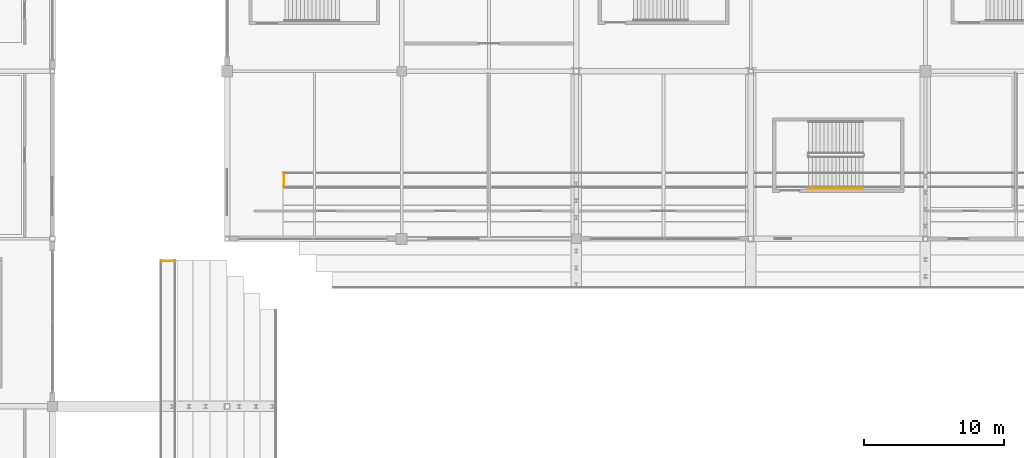
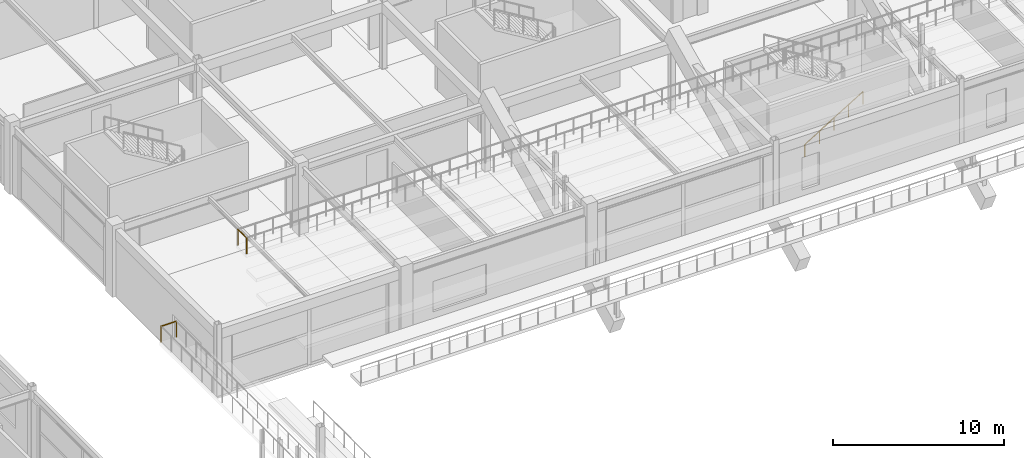
# One storey, part 114 of 128: 3 railings.
"""IFC4 building model written with IfcOpenShell, lengths in metres."""

from ifc_helpers import new_model, si_unit, direction, frame, origin, origin_2d, place, context, subcontext, project, spatial, circle, extrude, material, layer, layer_set, type_object, element, save


model = new_model("IFC4")

# Units and contexts
model_context = context("Model", 3, precision=1e-05, world=origin(), true_north=direction((0.0, 1.0)))
body_context = subcontext(model_context, "Body", "Model", "MODEL_VIEW")
ifc_project = project(units=[si_unit("LENGTHUNIT", "METRE"), si_unit("AREAUNIT", "SQUARE_METRE"), si_unit("VOLUMEUNIT", "CUBIC_METRE"), si_unit("PLANEANGLEUNIT", "RADIAN"), si_unit("MASSUNIT", "GRAM", prefix="KILO")], contexts=[model_context])

# Site, building, storey
site_placement = place(None, origin())
site = spatial("IfcSite", under=ifc_project, at=site_placement, CompositionType="ELEMENT")
building_placement = place(site_placement, origin())
building = spatial("IfcBuilding", under=site, at=building_placement, Name="Kazenohara Klinker Stadium", CompositionType="ELEMENT")
storey_placement = place(building_placement, frame((0.0, 0.0, 15.300048828125)))
storey = spatial("IfcBuildingStorey", under=building, at=storey_placement, Name="L03", CompositionType="ELEMENT", Elevation=15.300048828125)

# Railings
ifc_material_1 = material(Name="Galvanised powder-coated steel guardrail", Category="steel")
ifc_layer_1 = layer(ifc_material_1, 0.070068359375)
ifc_layer_set_1 = layer_set([ifc_layer_1], Name="Galvanised powder-coated steel guardrail")
railing_type_1 = type_object("IfcRailingType", Name="RL-GRD-1150", PredefinedType="GUARDRAIL", material=ifc_layer_set_1)
railing_1_placement = place(storey_placement, frame((44.260009765625, 130.419921875, 6.349853515625)))
element("IfcRailing", 1, at=railing_1_placement, inside=storey, type_object=railing_type_1, Name="Spectator stand sightline guardrail TIER-UPPER-W-01-N", PredefinedType="GUARDRAIL", context=body_context, shape_type="SweptSolid", body=[
    extrude(circle(Radius=0.02392578125, at=origin_2d()), frame((0.0, 0.0, 1.1259765625), z_axis=(1.0, 0.0, 0.0), x_axis=(0.0, 1.0, 0.0)), (0.0, 0.0, 1.0), 1.0400390625),
    extrude(circle(Radius=0.02099609375, at=origin_2d()), origin(), (0.0, 0.0, 1.0), 1.101806640625),
    extrude(circle(Radius=0.02099609375, at=origin_2d()), frame((1.0400390625, 0.0, 0.0)), (0.0, 0.0, 1.0), 1.101806640625),
])
railing_2_placement = place(storey_placement, frame((53.080078125, 135.699951171875, 6.349853515625)))
element("IfcRailing", 2, at=railing_2_placement, inside=storey, type_object=railing_type_1, Name="Spectator stand sightline guardrail TIER-UPPER-N-01-W", PredefinedType="GUARDRAIL", context=body_context, shape_type="SweptSolid", body=[
    extrude(circle(Radius=0.02392578125, at=origin_2d()), frame((0.0, 0.0, 1.1259765625), z_axis=(0.0, 1.0, 0.0), x_axis=(-1.0, 0.0, 0.0)), (0.0, 0.0, 1.0), 1.0400390625),
    extrude(circle(Radius=0.02099609375, at=origin_2d()), origin(), (0.0, 0.0, 1.0), 1.101806640625),
    extrude(circle(Radius=0.02099609375, at=origin_2d()), frame((0.0, 1.0400390625, 0.0)), (0.0, 0.0, 1.0), 1.101806640625),
])
ifc_material_2 = material(Name="Brushed stainless steel 304 handrail", Category="steel")
ifc_layer_2 = layer(ifc_material_2, 0.050048828125)
ifc_layer_set_2 = layer_set([ifc_layer_2], Name="Brushed stainless steel 304 handrail")
railing_type_2 = type_object("IfcRailingType", Name="RL-HND-900", PredefinedType="HANDRAIL", material=ifc_layer_set_2)
railing_3_placement = place(storey_placement, frame((90.6201171875, 135.6201171875, 0.169921875)))
element("IfcRailing", 3, at=railing_3_placement, inside=storey, type_object=railing_type_2, Name="L03 ST19 stair handrail 1", PredefinedType="HANDRAIL", context=body_context, shape_type="SweptSolid", body=[
    extrude(circle(Radius=0.02392578125, at=origin_2d()), frame((0.0, 0.0, 0.8759765625), z_axis=(0.854770645689, 0.0, 0.519005918337), x_axis=(0.0, 1.0, 0.0)), (0.0, 0.0, 1.0), 4.5859375),
    extrude(circle(Radius=0.02099609375, at=origin_2d()), origin(), (0.0, 0.0, 1.0), 0.851806640625),
    extrude(circle(Radius=0.02099609375, at=origin_2d()), frame((0.97998046875, 0.0, 0.594970703125)), (0.0, 0.0, 1.0), 0.851806640625),
    extrude(circle(Radius=0.02099609375, at=origin_2d()), frame((1.9599609375, 0.0, 1.18994140625)), (0.0, 0.0, 1.0), 0.851806640625),
    extrude(circle(Radius=0.02099609375, at=origin_2d()), frame((2.93994140625, 0.0, 1.78515625)), (0.0, 0.0, 1.0), 0.851806640625),
    extrude(circle(Radius=0.02099609375, at=origin_2d()), frame((3.919921875, 0.0, 2.380126953125)), (0.0, 0.0, 1.0), 0.851806640625),
])

save(model, "model.ifc")
